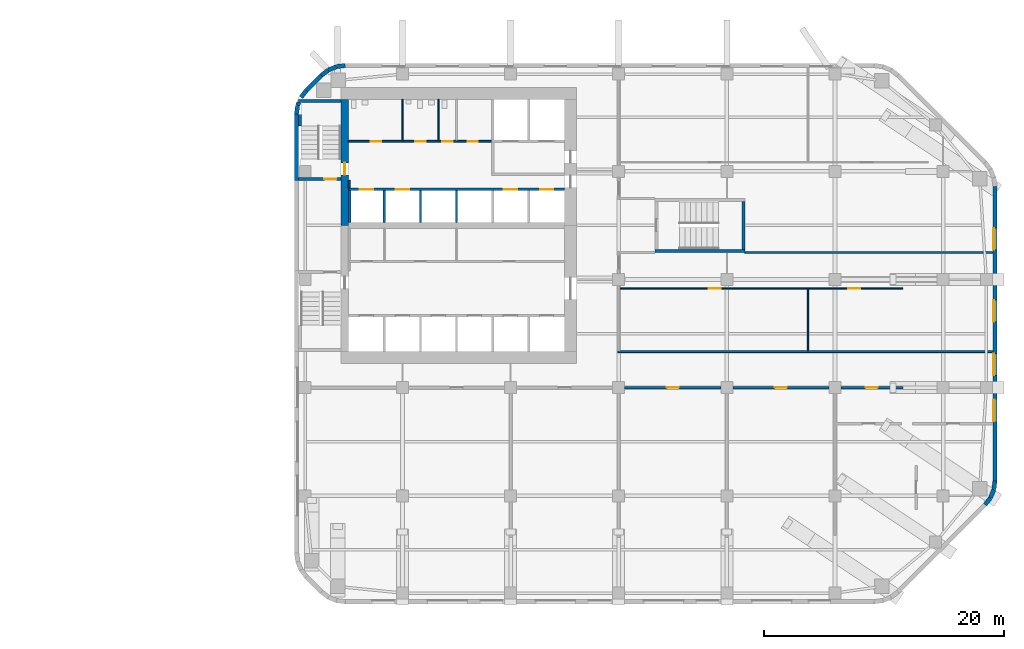
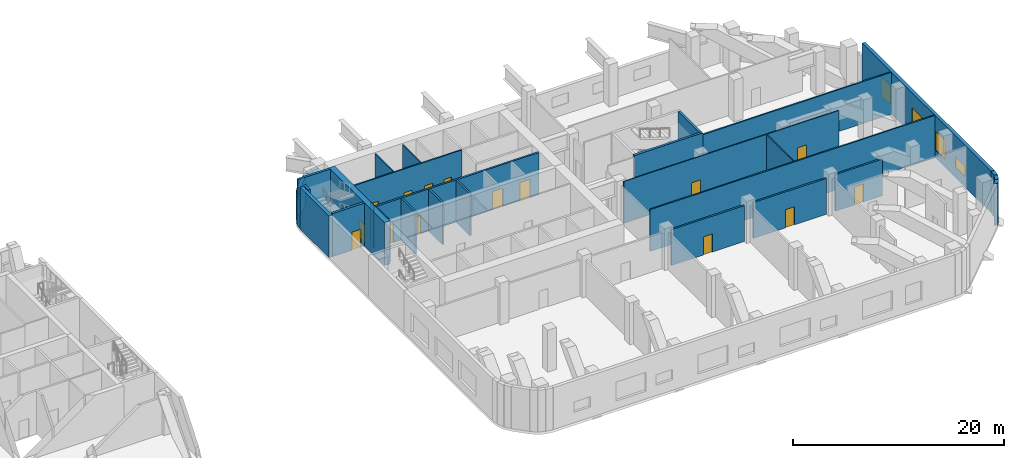
# One storey, part 9 of 14: 34 walls, 15 doors, 4 windows, 19 openings.
"""IFC4 building model written with IfcOpenShell, lengths in metres."""

from ifc_helpers import new_model, si_unit, direction, frame, frame_2d, origin, place, context, subcontext, project, spatial, rectangle, extrude, material, layer, layer_set, type_object, element, fill, save


model = new_model("IFC4")

# Units and contexts
model_context = context("Model", 3, precision=1e-05, world=origin(), true_north=direction((0.0, 1.0)))
body_context = subcontext(model_context, "Body", "Model", "MODEL_VIEW")
ifc_project = project(units=[si_unit("LENGTHUNIT", "METRE"), si_unit("AREAUNIT", "SQUARE_METRE"), si_unit("VOLUMEUNIT", "CUBIC_METRE"), si_unit("PLANEANGLEUNIT", "RADIAN"), si_unit("MASSUNIT", "GRAM", prefix="KILO")], contexts=[model_context])

# Site, building, storey
site_placement = place(None, origin())
site = spatial("IfcSite", under=ifc_project, at=site_placement, CompositionType="ELEMENT")
building_placement = place(site_placement, origin())
building = spatial("IfcBuilding", under=site, at=building_placement, Name="Cinnabar Reach Civic Tower", CompositionType="ELEMENT")
storey_placement = place(building_placement, frame((0.0, 0.0, 95.0)))
storey = spatial("IfcBuildingStorey", under=building, at=storey_placement, Name="L22", CompositionType="ELEMENT", Elevation=95.0)

# Walls
ifc_material_1 = material(Name="Facing brick with insulated backing", Category="masonry")
ifc_layer_1 = layer(ifc_material_1, 0.36)
ifc_layer_set_1 = layer_set([ifc_layer_1], Name="Brick corner wall")
wall_type_1 = type_object("IfcWallType", Name="Brick corner wall", PredefinedType="STANDARD", material=ifc_layer_set_1)
wall_1_placement = place(storey_placement, frame((57.4998, 8.2587, 0.0), z_axis=(0.0, 0.0, 1.0), x_axis=(0.608802368033, 0.793321924995, 0.0)))
element("IfcWall", 1, at=wall_1_placement, inside=storey, type_object=wall_type_1, Name="Brick corner wall", PredefinedType="STANDARD", context=body_context, shape_type="SweptSolid", body=[
    extrude(rectangle(XDim=0.7132, YDim=0.36, at=frame_2d((0.3566, 0.0))), origin(), (0.0, 0.0, 1.0), 4.85),
])
for number, where, z_axis, x_axis, name in (
    (2, (57.9452, 8.8439, 0.0), (0.0, 0.0, 1.0), (0.382702709855, 0.923871547278, 0.0), "Brick corner wall"),
    (3, (58.2239, 9.5244, 0.0), (0.0, 0.0, 1.0), (0.13055608231, 0.99144092581, 0.0), "Brick corner wall"),
):
    element("IfcWall", number, at=place(storey_placement, frame(where, z_axis=z_axis, x_axis=x_axis)), inside=storey, type_object=wall_type_1, Name=name, PredefinedType="STANDARD", context=body_context, shape_type="SweptSolid", body=[
        extrude(rectangle(XDim=0.7131, YDim=0.36, at=frame_2d((0.3565, 0.0))), origin(), (0.0, 0.0, 1.0), 4.85),
    ])
for number, where, z_axis, x_axis, name in (
    (4, (4.2314, 44.817, 0.0), (0.0, 0.0, 1.0), (-0.99144092581, -0.13055608231, 0.0), "Brick corner wall"),
    (5, (3.5027, 44.7181, 0.0), (0.0, 0.0, 1.0), (-0.923871547278, -0.382702709855, 0.0), "Brick corner wall"),
):
    element("IfcWall", number, at=place(storey_placement, frame(where, z_axis=z_axis, x_axis=x_axis)), inside=storey, type_object=wall_type_1, Name=name, PredefinedType="STANDARD", context=body_context, shape_type="SweptSolid", body=[
        extrude(rectangle(XDim=0.7131, YDim=0.36, at=frame_2d((0.3565, 0.0))), origin(), (0.0, 0.0, 1.0), 3.25),
    ])
for number, where, z_axis, x_axis, name in (
    (6, (2.8245, 44.434, 0.0), (0.0, 0.0, 1.0), (-0.793321924995, -0.608802368033, 0.0), "Brick corner wall"),
    (7, (1.0002, 42.7413, 0.0), (0.0, 0.0, 1.0), (-0.608802368033, -0.793321924995, 0.0), "Brick corner wall"),
):
    element("IfcWall", number, at=place(storey_placement, frame(where, z_axis=z_axis, x_axis=x_axis)), inside=storey, type_object=wall_type_1, Name=name, PredefinedType="STANDARD", context=body_context, shape_type="SweptSolid", body=[
        extrude(rectangle(XDim=0.7132, YDim=0.36, at=frame_2d((0.3566, 0.0))), origin(), (0.0, 0.0, 1.0), 3.25),
    ])
wall_2_placement = place(storey_placement, frame((0.3808, 41.736, 0.0), z_axis=(0.0, 0.0, 1.0), x_axis=(-0.382773360986, -0.923842277729, 0.0)))
element("IfcWall", 8, at=wall_2_placement, inside=storey, type_object=wall_type_1, Name="Brick corner wall", PredefinedType="STANDARD", context=body_context, shape_type="SweptSolid", body=[
    extrude(rectangle(XDim=0.2584, YDim=0.36, at=frame_2d((0.1292, 0.0))), origin(), (0.0, 0.0, 1.0), 3.25),
])
wall_3_placement = place(storey_placement, frame((0.2761, 41.4756, 0.0), z_axis=(0.0, 0.0, 1.0), x_axis=(-0.13055608231, -0.99144092581, 0.0)))
element("IfcWall", 9, at=wall_3_placement, inside=storey, type_object=wall_type_1, Name="Brick corner wall", PredefinedType="STANDARD", context=body_context, shape_type="SweptSolid", body=[
    extrude(rectangle(XDim=0.7131, YDim=0.36, at=frame_2d((0.3565, 0.0))), origin(), (0.0, 0.0, 1.0), 3.25),
])

# Wall, openings, windows
ifc_layer_2 = layer(ifc_material_1, 0.36)
ifc_layer_set_2 = layer_set([ifc_layer_2], Name="Brick pier and spandrel wall")
wall_type_2 = type_object("IfcWallType", Name="Brick pier and spandrel wall", PredefinedType="STANDARD", material=ifc_layer_set_2)
wall_4_placement = place(storey_placement, frame((58.32, 10.2426, 0.0), z_axis=(0.0, 0.0, 1.0), x_axis=(0.0, 1.0, 0.0)))
wall_4 = element("IfcWall", 10, at=wall_4_placement, inside=storey, type_object=wall_type_2, Name="Brick facade wall", PredefinedType="STANDARD", context=body_context, shape_type="SweptSolid", body=[
    extrude(rectangle(XDim=24.5148, YDim=0.36, at=frame_2d((12.2574, 0.0))), origin(), (0.0, 0.0, 1.0), 4.85),
])
opening_1_placement = place(wall_4_placement, frame((4.9574, 0.0, 1.2)))
opening_1 = element("IfcOpeningElement", 11, at=opening_1_placement, cuts=wall_4, Name="Opening W1465", PredefinedType="OPENING", context=body_context, shape_type="SweptSolid", body=[
    extrude(rectangle(XDim=1.8, YDim=1.2, at=frame_2d((0.9, 0.6))), frame((0.0, 0.19, 0.0), z_axis=(0.0, -1.0, 0.0), x_axis=(1.0, 0.0, 0.0)), (0.0, 0.0, 1.0), 0.38),
])
opening_2_placement = place(wall_4_placement, frame((8.7824, 0.0, 0.9)))
opening_2 = element("IfcOpeningElement", 12, at=opening_2_placement, cuts=wall_4, Name="Opening W1466", PredefinedType="OPENING", context=body_context, shape_type="SweptSolid", body=[
    extrude(rectangle(XDim=1.8, YDim=2.2, at=frame_2d((0.9, 1.1))), frame((0.0, 0.19, 0.0), z_axis=(0.0, -1.0, 0.0), x_axis=(1.0, 0.0, 0.0)), (0.0, 0.0, 1.0), 0.38),
])
opening_3_placement = place(wall_4_placement, frame((13.2324, 0.0, 0.9)))
opening_3 = element("IfcOpeningElement", 13, at=opening_3_placement, cuts=wall_4, Name="Opening W1467", PredefinedType="OPENING", context=body_context, shape_type="SweptSolid", body=[
    extrude(rectangle(XDim=1.8, YDim=2.2, at=frame_2d((0.9, 1.1))), frame((0.0, 0.19, 0.0), z_axis=(0.0, -1.0, 0.0), x_axis=(1.0, 0.0, 0.0)), (0.0, 0.0, 1.0), 0.38),
])
opening_4_placement = place(wall_4_placement, frame((19.2324, 0.0, 0.9)))
opening_4 = element("IfcOpeningElement", 14, at=opening_4_placement, cuts=wall_4, Name="Opening W1468", PredefinedType="OPENING", context=body_context, shape_type="SweptSolid", body=[
    extrude(rectangle(XDim=1.8, YDim=2.2, at=frame_2d((0.9, 1.1))), frame((0.0, 0.19, 0.0), z_axis=(0.0, -1.0, 0.0), x_axis=(1.0, 0.0, 0.0)), (0.0, 0.0, 1.0), 0.38),
])
ifc_material_2 = material(Name="Clear double glazing in aluminium frame", Category="aluminium")
window_type_1 = type_object("IfcWindowType", Name="Deep-set window C", PartitioningType="SINGLE_PANEL", PredefinedType="WINDOW", material=ifc_material_2)
window_1_placement = place(opening_1_placement, origin())
window_1 = element("IfcWindow", 15, at=window_1_placement, inside=storey, type_object=window_type_1, Name="Window east face", OverallHeight=1.2, OverallWidth=1.8, PartitioningType="SINGLE_PANEL", PredefinedType="WINDOW", context=body_context, shape_type="SweptSolid", body=[
    extrude(rectangle(XDim=1.8, YDim=1.2, at=frame_2d((0.9, 0.6))), frame((0.0, 0.13, 0.0), z_axis=(0.0, -1.0, 0.0), x_axis=(1.0, 0.0, 0.0)), (0.0, 0.0, 1.0), 0.06),
])
fill(opening_1, window_1)
window_type_2 = type_object("IfcWindowType", Name="Deep-set window E", PartitioningType="SINGLE_PANEL", PredefinedType="WINDOW", material=ifc_material_2)
window_2_placement = place(opening_2_placement, origin())
window_2 = element("IfcWindow", 16, at=window_2_placement, inside=storey, type_object=window_type_2, Name="Window east face", OverallHeight=2.2, OverallWidth=1.8, PartitioningType="SINGLE_PANEL", PredefinedType="WINDOW", context=body_context, shape_type="SweptSolid", body=[
    extrude(rectangle(XDim=1.8, YDim=2.2, at=frame_2d((0.9, 1.1))), frame((0.0, 0.13, 0.0), z_axis=(0.0, -1.0, 0.0), x_axis=(1.0, 0.0, 0.0)), (0.0, 0.0, 1.0), 0.06),
])
fill(opening_2, window_2)
window_3_placement = place(opening_3_placement, origin())
window_3 = element("IfcWindow", 17, at=window_3_placement, inside=storey, type_object=window_type_2, Name="Window east face", OverallHeight=2.2, OverallWidth=1.8, PartitioningType="SINGLE_PANEL", PredefinedType="WINDOW", context=body_context, shape_type="SweptSolid", body=[
    extrude(rectangle(XDim=1.8, YDim=2.2, at=frame_2d((0.9, 1.1))), frame((0.0, 0.13, 0.0), z_axis=(0.0, -1.0, 0.0), x_axis=(1.0, 0.0, 0.0)), (0.0, 0.0, 1.0), 0.06),
])
fill(opening_3, window_3)
window_4_placement = place(opening_4_placement, origin())
window_4 = element("IfcWindow", 18, at=window_4_placement, inside=storey, type_object=window_type_2, Name="Window east face", OverallHeight=2.2, OverallWidth=1.8, PartitioningType="SINGLE_PANEL", PredefinedType="WINDOW", context=body_context, shape_type="SweptSolid", body=[
    extrude(rectangle(XDim=1.8, YDim=2.2, at=frame_2d((0.9, 1.1))), frame((0.0, 0.13, 0.0), z_axis=(0.0, -1.0, 0.0), x_axis=(1.0, 0.0, 0.0)), (0.0, 0.0, 1.0), 0.06),
])
fill(opening_4, window_4)

# Walls
wall_5_placement = place(storey_placement, frame((2.2486, 43.994, 0.0), z_axis=(0.0, 0.0, 1.0), x_axis=(-0.707106781187, -0.707106781187, 0.0)))
element("IfcWall", 19, at=wall_5_placement, inside=storey, type_object=wall_type_2, Name="Brick facade wall", PredefinedType="STANDARD", context=body_context, shape_type="SweptSolid", body=[
    extrude(rectangle(XDim=1.7573, YDim=0.36, at=frame_2d((0.8787, 0.0))), origin(), (0.0, 0.0, 1.0), 3.25),
])
wall_6_placement = place(storey_placement, frame((0.18, 40.7574, 0.0), z_axis=(0.0, 0.0, 1.0), x_axis=(0.0, -1.0, 0.0)))
element("IfcWall", 20, at=wall_6_placement, inside=storey, type_object=wall_type_2, Name="Brick facade wall", PredefinedType="STANDARD", context=body_context, shape_type="SweptSolid", body=[
    extrude(rectangle(XDim=5.5074, YDim=0.36, at=frame_2d((2.7537, 0.0))), origin(), (0.0, 0.0, 1.0), 4.85),
])

# Wall, opening, door
ifc_material_3 = material(Name="Concrete C70", Category="concrete")
ifc_layer_3 = layer(ifc_material_3, 0.6)
ifc_layer_set_3 = layer_set([ifc_layer_3], Name="Core wall 600 EI 180")
wall_type_3 = type_object("IfcWallType", Name="Core wall 600 EI 180", PredefinedType="SOLIDWALL", material=ifc_layer_set_3)
wall_7_placement = place(storey_placement, frame((4.2, 42.0, 0.0), z_axis=(0.0, 0.0, 1.0), x_axis=(0.0, -1.0, 0.0)))
wall_7 = element("IfcWall", 21, at=wall_7_placement, inside=storey, type_object=wall_type_3, Name="Core wall T1 L22 W", PredefinedType="SOLIDWALL", context=body_context, shape_type="SweptSolid", body=[
    extrude(rectangle(XDim=10.5, YDim=0.6, at=frame_2d((5.25, 0.0))), origin(), (0.0, 0.0, 1.0), 5.0),
])
opening_5_placement = place(wall_7_placement, frame((5.3, 0.0, 0.0)))
opening_5 = element("IfcOpeningElement", 22, at=opening_5_placement, cuts=wall_7, Name="Opening D3878", PredefinedType="OPENING", context=body_context, shape_type="SweptSolid", body=[
    extrude(rectangle(XDim=1.0, YDim=2.1, at=frame_2d((0.5, 1.05))), frame((0.0, 0.31, 0.0), z_axis=(0.0, -1.0, 0.0), x_axis=(1.0, 0.0, 0.0)), (0.0, 0.0, 1.0), 0.62),
])
ifc_material_4 = material(Name="Timber door leaf in steel frame", Category="steel")
door_type_1 = type_object("IfcDoorType", Name="Stair door 1000 x 2100 T1", OperationType="SINGLE_SWING_LEFT", PredefinedType="DOOR", material=ifc_material_4)
door_1_placement = place(opening_5_placement, frame((1.0, 0.0, 0.0), z_axis=(0.0, 0.0, 1.0), x_axis=(-1.0, 0.0, 0.0)))
door_1 = element("IfcDoor", 23, at=door_1_placement, inside=storey, type_object=door_type_1, Name="Door D3878", OperationType="SINGLE_SWING_LEFT", OverallHeight=2.1, OverallWidth=1.0, PredefinedType="DOOR", context=body_context, shape_type="SweptSolid", body=[
    extrude(rectangle(XDim=1.0, YDim=2.1, at=frame_2d((0.5, 1.05))), frame((0.0, 0.025, 0.0), z_axis=(0.0, -1.0, 0.0), x_axis=(1.0, 0.0, 0.0)), (0.0, 0.0, 1.0), 0.05),
])
fill(opening_5, door_1)

# Wall
ifc_material_5 = material(Name="Gypsum board on steel studs, double layer", Category="steel")
ifc_layer_4 = layer(ifc_material_5, 0.15)
ifc_layer_set_4 = layer_set([ifc_layer_4], Name="Corridor wall 150 T1")
wall_type_4 = type_object("IfcWallType", Name="Corridor wall 150 T1", PredefinedType="PARTITIONING", material=ifc_layer_set_4)
wall_8_placement = place(storey_placement, frame((26.925, 21.0, 0.0), z_axis=(0.0, 0.0, 1.0), x_axis=(1.0, 0.0, 0.0)))
element("IfcWall", 24, at=wall_8_placement, inside=storey, type_object=wall_type_4, Name="Corridor wall 36", PredefinedType="PARTITIONING", context=body_context, shape_type="SweptSolid", body=[
    extrude(rectangle(XDim=31.215, YDim=0.15, at=frame_2d((15.6075, 0.0))), origin(), (0.0, 0.0, 1.0), 4.85),
])

# Wall, openings, doors
wall_9_placement = place(storey_placement, frame((4.5, 38.5, 0.0), z_axis=(0.0, 0.0, 1.0), x_axis=(1.0, 0.0, 0.0)))
wall_9 = element("IfcWall", 25, at=wall_9_placement, inside=storey, type_object=wall_type_4, Name="Corridor wall 38", PredefinedType="PARTITIONING", context=body_context, shape_type="SweptSolid", body=[
    extrude(rectangle(XDim=11.9, YDim=0.15, at=frame_2d((5.95, 0.0))), origin(), (0.0, 0.0, 1.0), 4.85),
])
opening_6_placement = place(wall_9_placement, frame((1.85, 0.0, 0.0)))
opening_6 = element("IfcOpeningElement", 26, at=opening_6_placement, cuts=wall_9, Name="Opening D3899", PredefinedType="OPENING", context=body_context, shape_type="SweptSolid", body=[
    extrude(rectangle(XDim=0.9, YDim=2.1, at=frame_2d((0.45, 1.05))), frame((0.0, 0.085, 0.0), z_axis=(0.0, -1.0, 0.0), x_axis=(1.0, 0.0, 0.0)), (0.0, 0.0, 1.0), 0.17),
])
opening_7_placement = place(wall_9_placement, frame((5.55, 0.0, 0.0)))
opening_7 = element("IfcOpeningElement", 27, at=opening_7_placement, cuts=wall_9, Name="Opening D3900", PredefinedType="OPENING", context=body_context, shape_type="SweptSolid", body=[
    extrude(rectangle(XDim=0.9, YDim=2.1, at=frame_2d((0.45, 1.05))), frame((0.0, 0.085, 0.0), z_axis=(0.0, -1.0, 0.0), x_axis=(1.0, 0.0, 0.0)), (0.0, 0.0, 1.0), 0.17),
])
opening_8_placement = place(wall_9_placement, frame((7.8, 0.0, 0.0)))
opening_8 = element("IfcOpeningElement", 28, at=opening_8_placement, cuts=wall_9, Name="Opening D3901", PredefinedType="OPENING", context=body_context, shape_type="SweptSolid", body=[
    extrude(rectangle(XDim=0.9, YDim=2.1, at=frame_2d((0.45, 1.05))), frame((0.0, 0.085, 0.0), z_axis=(0.0, -1.0, 0.0), x_axis=(1.0, 0.0, 0.0)), (0.0, 0.0, 1.0), 0.17),
])
opening_9_placement = place(wall_9_placement, frame((9.95, 0.0, 0.0)))
opening_9 = element("IfcOpeningElement", 29, at=opening_9_placement, cuts=wall_9, Name="Opening D3902", PredefinedType="OPENING", context=body_context, shape_type="SweptSolid", body=[
    extrude(rectangle(XDim=0.8, YDim=2.1, at=frame_2d((0.4, 1.05))), frame((0.0, 0.085, 0.0), z_axis=(0.0, -1.0, 0.0), x_axis=(1.0, 0.0, 0.0)), (0.0, 0.0, 1.0), 0.17),
])
door_type_2 = type_object("IfcDoorType", Name="Riser access door 800 x 2100 T1", OperationType="SINGLE_SWING_LEFT", PredefinedType="DOOR", material=ifc_material_4)
door_2_placement = place(opening_9_placement, origin())
door_2 = element("IfcDoor", 30, at=door_2_placement, inside=storey, type_object=door_type_2, Name="Door D3902", OperationType="SINGLE_SWING_LEFT", OverallHeight=2.1, OverallWidth=0.8, PredefinedType="DOOR", context=body_context, shape_type="SweptSolid", body=[
    extrude(rectangle(XDim=0.8, YDim=2.1, at=frame_2d((0.4, 1.05))), frame((0.0, 0.025, 0.0), z_axis=(0.0, -1.0, 0.0), x_axis=(1.0, 0.0, 0.0)), (0.0, 0.0, 1.0), 0.05),
])
fill(opening_9, door_2)
door_type_3 = type_object("IfcDoorType", Name="Single swing door 900 x 2100 corridor T1", OperationType="SINGLE_SWING_LEFT", PredefinedType="DOOR", material=ifc_material_4)
door_3_placement = place(opening_6_placement, origin())
door_3 = element("IfcDoor", 31, at=door_3_placement, inside=storey, type_object=door_type_3, Name="Door D3899", OperationType="SINGLE_SWING_RIGHT", OverallHeight=2.1, OverallWidth=0.9, PredefinedType="DOOR", context=body_context, shape_type="SweptSolid", body=[
    extrude(rectangle(XDim=0.9, YDim=2.1, at=frame_2d((0.45, 1.05))), frame((0.0, 0.025, 0.0), z_axis=(0.0, -1.0, 0.0), x_axis=(1.0, 0.0, 0.0)), (0.0, 0.0, 1.0), 0.05),
])
fill(opening_6, door_3)
door_4_placement = place(opening_7_placement, origin())
door_4 = element("IfcDoor", 32, at=door_4_placement, inside=storey, type_object=door_type_3, Name="Door D3900", OperationType="SINGLE_SWING_RIGHT", OverallHeight=2.1, OverallWidth=0.9, PredefinedType="DOOR", context=body_context, shape_type="SweptSolid", body=[
    extrude(rectangle(XDim=0.9, YDim=2.1, at=frame_2d((0.45, 1.05))), frame((0.0, 0.025, 0.0), z_axis=(0.0, -1.0, 0.0), x_axis=(1.0, 0.0, 0.0)), (0.0, 0.0, 1.0), 0.05),
])
fill(opening_7, door_4)
door_5_placement = place(opening_8_placement, origin())
door_5 = element("IfcDoor", 33, at=door_5_placement, inside=storey, type_object=door_type_3, Name="Door D3901", OperationType="SINGLE_SWING_RIGHT", OverallHeight=2.1, OverallWidth=0.9, PredefinedType="DOOR", context=body_context, shape_type="SweptSolid", body=[
    extrude(rectangle(XDim=0.9, YDim=2.1, at=frame_2d((0.45, 1.05))), frame((0.0, 0.025, 0.0), z_axis=(0.0, -1.0, 0.0), x_axis=(1.0, 0.0, 0.0)), (0.0, 0.0, 1.0), 0.05),
])
fill(opening_8, door_5)

# Wall
wall_10_placement = place(storey_placement, frame((4.575, 34.6, 0.0), z_axis=(0.0, 0.0, 1.0), x_axis=(0.0, 1.0, 0.0)))
element("IfcWall", 34, at=wall_10_placement, inside=storey, type_object=wall_type_4, Name="Corridor wall 47", PredefinedType="PARTITIONING", context=body_context, shape_type="SweptSolid", body=[
    extrude(rectangle(XDim=0.65, YDim=0.15, at=frame_2d((0.325, 0.0))), origin(), (0.0, 0.0, 1.0), 4.85),
])

# Wall, openings, doors
ifc_material_6 = material(Name="Blockwork", Category="masonry")
ifc_layer_5 = layer(ifc_material_6, 0.2)
ifc_layer_set_5 = layer_set([ifc_layer_5], Name="Lift shaft wall 200 T1")
wall_type_5 = type_object("IfcWallType", Name="Lift shaft wall 200 T1", PredefinedType="PARTITIONING", material=ifc_layer_set_5)
wall_11_placement = place(storey_placement, frame((4.5, 34.5, 0.0), z_axis=(0.0, 0.0, 1.0), x_axis=(1.0, 0.0, 0.0)))
wall_11 = element("IfcWall", 35, at=wall_11_placement, inside=storey, type_object=wall_type_5, Name="Lift shaft wall 22", PredefinedType="PARTITIONING", context=body_context, shape_type="SweptSolid", body=[
    extrude(rectangle(XDim=18.0, YDim=0.2, at=frame_2d((9.0, 0.0))), origin(), (0.0, 0.0, 1.0), 4.85),
])
opening_10_placement = place(wall_11_placement, frame((0.95, 0.0, 0.0)))
opening_10 = element("IfcOpeningElement", 36, at=opening_10_placement, cuts=wall_11, Name="Opening D3886", PredefinedType="OPENING", context=body_context, shape_type="SweptSolid", body=[
    extrude(rectangle(XDim=1.1, YDim=2.1, at=frame_2d((0.55, 1.05))), frame((0.0, 0.11, 0.0), z_axis=(0.0, -1.0, 0.0), x_axis=(1.0, 0.0, 0.0)), (0.0, 0.0, 1.0), 0.22),
])
opening_11_placement = place(wall_11_placement, frame((3.95, 0.0, 0.0)))
opening_11 = element("IfcOpeningElement", 37, at=opening_11_placement, cuts=wall_11, Name="Opening D3887", PredefinedType="OPENING", context=body_context, shape_type="SweptSolid", body=[
    extrude(rectangle(XDim=1.1, YDim=2.1, at=frame_2d((0.55, 1.05))), frame((0.0, 0.11, 0.0), z_axis=(0.0, -1.0, 0.0), x_axis=(1.0, 0.0, 0.0)), (0.0, 0.0, 1.0), 0.22),
])
opening_12_placement = place(wall_11_placement, frame((12.95, 0.0, 0.0)))
opening_12 = element("IfcOpeningElement", 38, at=opening_12_placement, cuts=wall_11, Name="Opening D3888", PredefinedType="OPENING", context=body_context, shape_type="SweptSolid", body=[
    extrude(rectangle(XDim=1.1, YDim=2.1, at=frame_2d((0.55, 1.05))), frame((0.0, 0.11, 0.0), z_axis=(0.0, -1.0, 0.0), x_axis=(1.0, 0.0, 0.0)), (0.0, 0.0, 1.0), 0.22),
])
opening_13_placement = place(wall_11_placement, frame((15.95, 0.0, 0.0)))
opening_13 = element("IfcOpeningElement", 39, at=opening_13_placement, cuts=wall_11, Name="Opening D3889", PredefinedType="OPENING", context=body_context, shape_type="SweptSolid", body=[
    extrude(rectangle(XDim=1.1, YDim=2.1, at=frame_2d((0.55, 1.05))), frame((0.0, 0.11, 0.0), z_axis=(0.0, -1.0, 0.0), x_axis=(1.0, 0.0, 0.0)), (0.0, 0.0, 1.0), 0.22),
])
ifc_material_7 = material(Name="Stainless steel sliding door", Category="steel")
door_type_4 = type_object("IfcDoorType", Name="Lift landing door 1100 x 2100 T1", OperationType="SLIDING_TO_LEFT", PredefinedType="DOOR", material=ifc_material_7)
door_6_placement = place(opening_10_placement, origin())
door_6 = element("IfcDoor", 40, at=door_6_placement, inside=storey, type_object=door_type_4, Name="Lift landing door SH1 L22", OperationType="SLIDING_TO_LEFT", OverallHeight=2.1, OverallWidth=1.1, PredefinedType="DOOR", context=body_context, shape_type="SweptSolid", body=[
    extrude(rectangle(XDim=1.1, YDim=2.1, at=frame_2d((0.55, 1.05))), frame((0.0, 0.025, 0.0), z_axis=(0.0, -1.0, 0.0), x_axis=(1.0, 0.0, 0.0)), (0.0, 0.0, 1.0), 0.05),
])
fill(opening_10, door_6)
door_7_placement = place(opening_11_placement, origin())
door_7 = element("IfcDoor", 41, at=door_7_placement, inside=storey, type_object=door_type_4, Name="Lift landing door SH2 L22", OperationType="SLIDING_TO_LEFT", OverallHeight=2.1, OverallWidth=1.1, PredefinedType="DOOR", context=body_context, shape_type="SweptSolid", body=[
    extrude(rectangle(XDim=1.1, YDim=2.1, at=frame_2d((0.55, 1.05))), frame((0.0, 0.025, 0.0), z_axis=(0.0, -1.0, 0.0), x_axis=(1.0, 0.0, 0.0)), (0.0, 0.0, 1.0), 0.05),
])
fill(opening_11, door_7)
door_8_placement = place(opening_12_placement, origin())
door_8 = element("IfcDoor", 42, at=door_8_placement, inside=storey, type_object=door_type_4, Name="Lift landing door SV1 L22", OperationType="SLIDING_TO_LEFT", OverallHeight=2.1, OverallWidth=1.1, PredefinedType="DOOR", context=body_context, shape_type="SweptSolid", body=[
    extrude(rectangle(XDim=1.1, YDim=2.1, at=frame_2d((0.55, 1.05))), frame((0.0, 0.025, 0.0), z_axis=(0.0, -1.0, 0.0), x_axis=(1.0, 0.0, 0.0)), (0.0, 0.0, 1.0), 0.05),
])
fill(opening_12, door_8)
door_9_placement = place(opening_13_placement, origin())
door_9 = element("IfcDoor", 43, at=door_9_placement, inside=storey, type_object=door_type_4, Name="Lift landing door SV2 L22", OperationType="SLIDING_TO_LEFT", OverallHeight=2.1, OverallWidth=1.1, PredefinedType="DOOR", context=body_context, shape_type="SweptSolid", body=[
    extrude(rectangle(XDim=1.1, YDim=2.1, at=frame_2d((0.55, 1.05))), frame((0.0, 0.025, 0.0), z_axis=(0.0, -1.0, 0.0), x_axis=(1.0, 0.0, 0.0)), (0.0, 0.0, 1.0), 0.05),
])
fill(opening_13, door_9)

# Walls
for number, where, z_axis, x_axis, name in (
    (44, (4.6, 31.75, 0.0), (0.0, 0.0, 1.0), (0.0, 1.0, 0.0), "Lift shaft wall 25"),
    (45, (7.5, 31.75, 0.0), (0.0, 0.0, 1.0), (0.0, 1.0, 0.0), "Lift shaft wall 27"),
    (46, (10.5, 31.75, 0.0), (0.0, 0.0, 1.0), (0.0, 1.0, 0.0), "Lift shaft wall 29"),
    (47, (13.5, 31.75, 0.0), (0.0, 0.0, 1.0), (0.0, 1.0, 0.0), "Lift shaft wall 31"),
):
    element("IfcWall", number, at=place(storey_placement, frame(where, z_axis=z_axis, x_axis=x_axis)), inside=storey, type_object=wall_type_5, Name=name, PredefinedType="PARTITIONING", context=body_context, shape_type="SweptSolid", body=[
        extrude(rectangle(XDim=2.65, YDim=0.2, at=frame_2d((1.325, 0.0))), origin(), (0.0, 0.0, 1.0), 4.85),
    ])

# Wall, openings, doors
ifc_material_8 = material(Name="Gypsum board on steel studs", Category="steel")
ifc_layer_6 = layer(ifc_material_8, 0.1)
ifc_layer_set_6 = layer_set([ifc_layer_6], Name="Partition wall 100 T1")
wall_type_6 = type_object("IfcWallType", Name="Partition wall 100 T1", PredefinedType="PARTITIONING", material=ifc_layer_set_6)
wall_12_placement = place(storey_placement, frame((27.075, 26.25, 0.0), z_axis=(0.0, 0.0, 1.0), x_axis=(1.0, 0.0, 0.0)))
wall_12 = element("IfcWall", 48, at=wall_12_placement, inside=storey, type_object=wall_type_6, Name="Partition wall 50", PredefinedType="PARTITIONING", context=body_context, shape_type="SweptSolid", body=[
    extrude(rectangle(XDim=23.5662, YDim=0.1, at=frame_2d((11.7831, 0.0))), origin(), (0.0, 0.0, 1.0), 4.85),
])
opening_14_placement = place(wall_12_placement, frame((7.4, 0.0, 0.0)))
opening_14 = element("IfcOpeningElement", 49, at=opening_14_placement, cuts=wall_12, Name="Opening D3907", PredefinedType="OPENING", context=body_context, shape_type="SweptSolid", body=[
    extrude(rectangle(XDim=1.0, YDim=2.1, at=frame_2d((0.5, 1.05))), frame((0.0, 0.06, 0.0), z_axis=(0.0, -1.0, 0.0), x_axis=(1.0, 0.0, 0.0)), (0.0, 0.0, 1.0), 0.12),
])
opening_15_placement = place(wall_12_placement, frame((19.025, 0.0, 0.0)))
opening_15 = element("IfcOpeningElement", 50, at=opening_15_placement, cuts=wall_12, Name="Opening D3908", PredefinedType="OPENING", context=body_context, shape_type="SweptSolid", body=[
    extrude(rectangle(XDim=1.0, YDim=2.1, at=frame_2d((0.5, 1.05))), frame((0.0, 0.06, 0.0), z_axis=(0.0, -1.0, 0.0), x_axis=(1.0, 0.0, 0.0)), (0.0, 0.0, 1.0), 0.12),
])
door_type_5 = type_object("IfcDoorType", Name="Plant room door 1000 x 2100 T1", OperationType="SINGLE_SWING_LEFT", PredefinedType="DOOR", material=ifc_material_4)
door_10_placement = place(opening_14_placement, origin())
door_10 = element("IfcDoor", 51, at=door_10_placement, inside=storey, type_object=door_type_5, Name="Door D3907", OperationType="SINGLE_SWING_RIGHT", OverallHeight=2.1, OverallWidth=1.0, PredefinedType="DOOR", context=body_context, shape_type="SweptSolid", body=[
    extrude(rectangle(XDim=1.0, YDim=2.1, at=frame_2d((0.5, 1.05))), frame((0.0, 0.025, 0.0), z_axis=(0.0, -1.0, 0.0), x_axis=(1.0, 0.0, 0.0)), (0.0, 0.0, 1.0), 0.05),
])
fill(opening_14, door_10)
door_11_placement = place(opening_15_placement, origin())
door_11 = element("IfcDoor", 52, at=door_11_placement, inside=storey, type_object=door_type_5, Name="Door D3908", OperationType="SINGLE_SWING_RIGHT", OverallHeight=2.1, OverallWidth=1.0, PredefinedType="DOOR", context=body_context, shape_type="SweptSolid", body=[
    extrude(rectangle(XDim=1.0, YDim=2.1, at=frame_2d((0.5, 1.05))), frame((0.0, 0.025, 0.0), z_axis=(0.0, -1.0, 0.0), x_axis=(1.0, 0.0, 0.0)), (0.0, 0.0, 1.0), 0.05),
])
fill(opening_15, door_11)

# Walls
wall_13_placement = place(storey_placement, frame((42.75, 21.075, 0.0), z_axis=(0.0, 0.0, 1.0), x_axis=(0.0, 1.0, 0.0)))
element("IfcWall", 53, at=wall_13_placement, inside=storey, type_object=wall_type_6, Name="Partition wall 53", PredefinedType="PARTITIONING", context=body_context, shape_type="SweptSolid", body=[
    extrude(rectangle(XDim=5.125, YDim=0.1, at=frame_2d((2.5625, 0.0))), origin(), (0.0, 0.0, 1.0), 4.85),
])
for number, where, z_axis, x_axis, name in (
    (54, (9.0, 38.575, 0.0), (0.0, 0.0, 1.0), (0.0, 1.0, 0.0), "Partition wall 54"),
    (55, (12.0, 38.575, 0.0), (0.0, 0.0, 1.0), (0.0, 1.0, 0.0), "Partition wall 55"),
):
    element("IfcWall", number, at=place(storey_placement, frame(where, z_axis=z_axis, x_axis=x_axis)), inside=storey, type_object=wall_type_6, Name=name, PredefinedType="PARTITIONING", context=body_context, shape_type="SweptSolid", body=[
        extrude(rectangle(XDim=3.425, YDim=0.1, at=frame_2d((1.7125, 0.0))), origin(), (0.0, 0.0, 1.0), 4.85),
    ])

# Wall, opening, door
ifc_material_9 = material(Name="Concrete C40", Category="concrete")
ifc_layer_7 = layer(ifc_material_9, 0.2)
ifc_layer_set_7 = layer_set([ifc_layer_7], Name="Refuge compartment wall 200 T1")
wall_type_7 = type_object("IfcWallType", Name="Refuge compartment wall 200 T1", PredefinedType="PARTITIONING", material=ifc_layer_set_7)
wall_14_placement = place(storey_placement, frame((45.5, 18.0, 0.0), z_axis=(0.0, 0.0, 1.0), x_axis=(1.0, 0.0, 0.0)))
wall_14 = element("IfcWall", 56, at=wall_14_placement, inside=storey, type_object=wall_type_7, Name="Refuge compartment wall 1", PredefinedType="PARTITIONING", context=body_context, shape_type="SweptSolid", body=[
    extrude(rectangle(XDim=5.1412, YDim=0.2, at=frame_2d((2.5706, 0.0))), origin(), (0.0, 0.0, 1.0), 4.254),
])
opening_16_placement = place(wall_14_placement, frame((2.05, 0.0, 0.0)))
opening_16 = element("IfcOpeningElement", 57, at=opening_16_placement, cuts=wall_14, Name="Opening D3913", PredefinedType="OPENING", context=body_context, shape_type="SweptSolid", body=[
    extrude(rectangle(XDim=1.0, YDim=2.1, at=frame_2d((0.5, 1.05))), frame((0.0, 0.11, 0.0), z_axis=(0.0, -1.0, 0.0), x_axis=(1.0, 0.0, 0.0)), (0.0, 0.0, 1.0), 0.22),
])
door_type_6 = type_object("IfcDoorType", Name="Refuge door 1000 x 2100 T1", OperationType="SINGLE_SWING_LEFT", PredefinedType="DOOR", material=ifc_material_4)
door_12_placement = place(opening_16_placement, frame((1.0, 0.0, 0.0), z_axis=(0.0, 0.0, 1.0), x_axis=(-1.0, 0.0, 0.0)))
door_12 = element("IfcDoor", 58, at=door_12_placement, inside=storey, type_object=door_type_6, Name="Door D3913", OperationType="SINGLE_SWING_LEFT", OverallHeight=2.1, OverallWidth=1.0, PredefinedType="DOOR", context=body_context, shape_type="SweptSolid", body=[
    extrude(rectangle(XDim=1.0, YDim=2.1, at=frame_2d((0.5, 1.05))), frame((0.0, 0.025, 0.0), z_axis=(0.0, -1.0, 0.0), x_axis=(1.0, 0.0, 0.0)), (0.0, 0.0, 1.0), 0.05),
])
fill(opening_16, door_12)

wall_15_placement = place(storey_placement, frame((36.5, 18.0, 0.0), z_axis=(0.0, 0.0, 1.0), x_axis=(1.0, 0.0, 0.0)))
wall_15 = element("IfcWall", 59, at=wall_15_placement, inside=storey, type_object=wall_type_7, Name="Refuge compartment wall 2", PredefinedType="PARTITIONING", context=body_context, shape_type="SweptSolid", body=[
    extrude(rectangle(XDim=8.0, YDim=0.2, at=frame_2d((4.0, 0.0))), origin(), (0.0, 0.0, 1.0), 4.158),
])
opening_17_placement = place(wall_15_placement, frame((3.5, 0.0, 0.0)))
opening_17 = element("IfcOpeningElement", 60, at=opening_17_placement, cuts=wall_15, Name="Opening D3912", PredefinedType="OPENING", context=body_context, shape_type="SweptSolid", body=[
    extrude(rectangle(XDim=1.0, YDim=2.1, at=frame_2d((0.5, 1.05))), frame((0.0, 0.11, 0.0), z_axis=(0.0, -1.0, 0.0), x_axis=(1.0, 0.0, 0.0)), (0.0, 0.0, 1.0), 0.22),
])
door_13_placement = place(opening_17_placement, frame((1.0, 0.0, 0.0), z_axis=(0.0, 0.0, 1.0), x_axis=(-1.0, 0.0, 0.0)))
door_13 = element("IfcDoor", 61, at=door_13_placement, inside=storey, type_object=door_type_6, Name="Door D3912", OperationType="SINGLE_SWING_LEFT", OverallHeight=2.1, OverallWidth=1.0, PredefinedType="DOOR", context=body_context, shape_type="SweptSolid", body=[
    extrude(rectangle(XDim=1.0, YDim=2.1, at=frame_2d((0.5, 1.05))), frame((0.0, 0.025, 0.0), z_axis=(0.0, -1.0, 0.0), x_axis=(1.0, 0.0, 0.0)), (0.0, 0.0, 1.0), 0.05),
])
fill(opening_17, door_13)

wall_16_placement = place(storey_placement, frame((27.5, 18.0, 0.0), z_axis=(0.0, 0.0, 1.0), x_axis=(1.0, 0.0, 0.0)))
wall_16 = element("IfcWall", 62, at=wall_16_placement, inside=storey, type_object=wall_type_7, Name="Refuge compartment wall 3", PredefinedType="PARTITIONING", context=body_context, shape_type="SweptSolid", body=[
    extrude(rectangle(XDim=8.0, YDim=0.2, at=frame_2d((4.0, 0.0))), origin(), (0.0, 0.0, 1.0), 4.158),
])
opening_18_placement = place(wall_16_placement, frame((3.5, 0.0, 0.0)))
opening_18 = element("IfcOpeningElement", 63, at=opening_18_placement, cuts=wall_16, Name="Opening D3911", PredefinedType="OPENING", context=body_context, shape_type="SweptSolid", body=[
    extrude(rectangle(XDim=1.0, YDim=2.1, at=frame_2d((0.5, 1.05))), frame((0.0, 0.11, 0.0), z_axis=(0.0, -1.0, 0.0), x_axis=(1.0, 0.0, 0.0)), (0.0, 0.0, 1.0), 0.22),
])
door_14_placement = place(opening_18_placement, origin())
door_14 = element("IfcDoor", 64, at=door_14_placement, inside=storey, type_object=door_type_6, Name="Door D3911", OperationType="SINGLE_SWING_LEFT", OverallHeight=2.1, OverallWidth=1.0, PredefinedType="DOOR", context=body_context, shape_type="SweptSolid", body=[
    extrude(rectangle(XDim=1.0, YDim=2.1, at=frame_2d((0.5, 1.05))), frame((0.0, 0.025, 0.0), z_axis=(0.0, -1.0, 0.0), x_axis=(1.0, 0.0, 0.0)), (0.0, 0.0, 1.0), 0.05),
])
fill(opening_18, door_14)

ifc_material_10 = material(Name="Concrete C60", Category="concrete")
ifc_layer_8 = layer(ifc_material_10, 0.25)
ifc_layer_set_8 = layer_set([ifc_layer_8], Name="Stair shaft wall 250 EI 120")
wall_type_8 = type_object("IfcWallType", Name="Stair shaft wall 250 EI 120", PredefinedType="SOLIDWALL", material=ifc_layer_set_8)
wall_17_placement = place(storey_placement, frame((0.36, 35.375, 0.0), z_axis=(0.0, 0.0, 1.0), x_axis=(1.0, 0.0, 0.0)))
wall_17 = element("IfcWall", 65, at=wall_17_placement, inside=storey, type_object=wall_type_8, Name="Stair shaft wall T1-S2 L22", PredefinedType="SOLIDWALL", context=body_context, shape_type="SweptSolid", body=[
    extrude(rectangle(XDim=3.54, YDim=0.25, at=frame_2d((1.77, 0.0))), origin(), (0.0, 0.0, 1.0), 5.0),
])
opening_19_placement = place(wall_17_placement, frame((2.14, 0.0, 0.0)))
opening_19 = element("IfcOpeningElement", 66, at=opening_19_placement, cuts=wall_17, Name="Opening D3879", PredefinedType="OPENING", context=body_context, shape_type="SweptSolid", body=[
    extrude(rectangle(XDim=1.0, YDim=2.1, at=frame_2d((0.5, 1.05))), frame((0.0, 0.135, 0.0), z_axis=(0.0, -1.0, 0.0), x_axis=(1.0, 0.0, 0.0)), (0.0, 0.0, 1.0), 0.27),
])
door_15_placement = place(opening_19_placement, origin())
door_15 = element("IfcDoor", 67, at=door_15_placement, inside=storey, type_object=door_type_1, Name="Door D3879", OperationType="SINGLE_SWING_RIGHT", OverallHeight=2.1, OverallWidth=1.0, PredefinedType="DOOR", context=body_context, shape_type="SweptSolid", body=[
    extrude(rectangle(XDim=1.0, YDim=2.1, at=frame_2d((0.5, 1.05))), frame((0.0, 0.025, 0.0), z_axis=(0.0, -1.0, 0.0), x_axis=(1.0, 0.0, 0.0)), (0.0, 0.0, 1.0), 0.05),
])
fill(opening_19, door_15)

# Walls
wall_18_placement = place(storey_placement, frame((3.9, 41.875, 0.0), z_axis=(0.0, 0.0, 1.0), x_axis=(-1.0, 0.0, 0.0)))
element("IfcWall", 68, at=wall_18_placement, inside=storey, type_object=wall_type_8, Name="Stair shaft wall T1-S2 L22", PredefinedType="SOLIDWALL", context=body_context, shape_type="SweptSolid", body=[
    extrude(rectangle(XDim=3.54, YDim=0.25, at=frame_2d((1.77, 0.0))), origin(), (0.0, 0.0, 1.0), 5.0),
])
wall_19_placement = place(storey_placement, frame((30.0, 29.375, 0.0), z_axis=(0.0, 0.0, 1.0), x_axis=(1.0, 0.0, 0.0)))
element("IfcWall", 69, at=wall_19_placement, inside=storey, type_object=wall_type_8, Name="Stair shaft wall T1-S3 L22", PredefinedType="SOLIDWALL", context=body_context, shape_type="SweptSolid", body=[
    extrude(rectangle(XDim=7.5, YDim=0.25, at=frame_2d((3.75, 0.0))), origin(), (0.0, 0.0, 1.0), 5.0),
])
wall_20_placement = place(storey_placement, frame((37.375, 29.5, 0.0), z_axis=(0.0, 0.0, 1.0), x_axis=(0.0, 1.0, 0.0)))
element("IfcWall", 70, at=wall_20_placement, inside=storey, type_object=wall_type_8, Name="Stair shaft wall T1-S3 L22", PredefinedType="SOLIDWALL", context=body_context, shape_type="SweptSolid", body=[
    extrude(rectangle(XDim=4.0, YDim=0.25, at=frame_2d((2.0, 0.0))), origin(), (0.0, 0.0, 1.0), 5.0),
])
ifc_material_11 = material(Name="Concrete C40/50", Category="concrete")
ifc_layer_9 = layer(ifc_material_11, 0.24)
ifc_layer_set_9 = layer_set([ifc_layer_9], Name="T1 landing bearer wall 240")
wall_type_9 = type_object("IfcWallType", Name="T1 landing bearer wall 240", PredefinedType="STANDARD", material=ifc_layer_set_9)
wall_21_placement = place(storey_placement, frame((0.48, 39.795, 0.0), z_axis=(0.0, 0.0, 1.0), x_axis=(0.0, 1.0, 0.0)))
element("IfcWall", 71, at=wall_21_placement, inside=storey, type_object=wall_type_9, Name="T1-S2 landing bearer wall", PredefinedType="STANDARD", context=body_context, shape_type="SweptSolid", body=[
    extrude(rectangle(XDim=0.9501, YDim=0.24, at=frame_2d((0.475, 0.0))), origin(), (0.0, 0.0, 1.0), 5.0),
])
ifc_layer_10 = layer(ifc_material_5, 0.15)
ifc_layer_set_10 = layer_set([ifc_layer_10], Name="Tenancy separating wall 150 T1")
wall_type_10 = type_object("IfcWallType", Name="Tenancy separating wall 150 T1", PredefinedType="PARTITIONING", material=ifc_layer_set_10)
wall_22_placement = place(storey_placement, frame((37.5, 29.25, 0.0), z_axis=(0.0, 0.0, 1.0), x_axis=(1.0, 0.0, 0.0)))
element("IfcWall", 72, at=wall_22_placement, inside=storey, type_object=wall_type_10, Name="Tenancy separating wall 49", PredefinedType="PARTITIONING", context=body_context, shape_type="SweptSolid", body=[
    extrude(rectangle(XDim=20.64, YDim=0.15, at=frame_2d((10.32, 0.0))), origin(), (0.0, 0.0, 1.0), 4.85),
])

save(model, "model.ifc")
